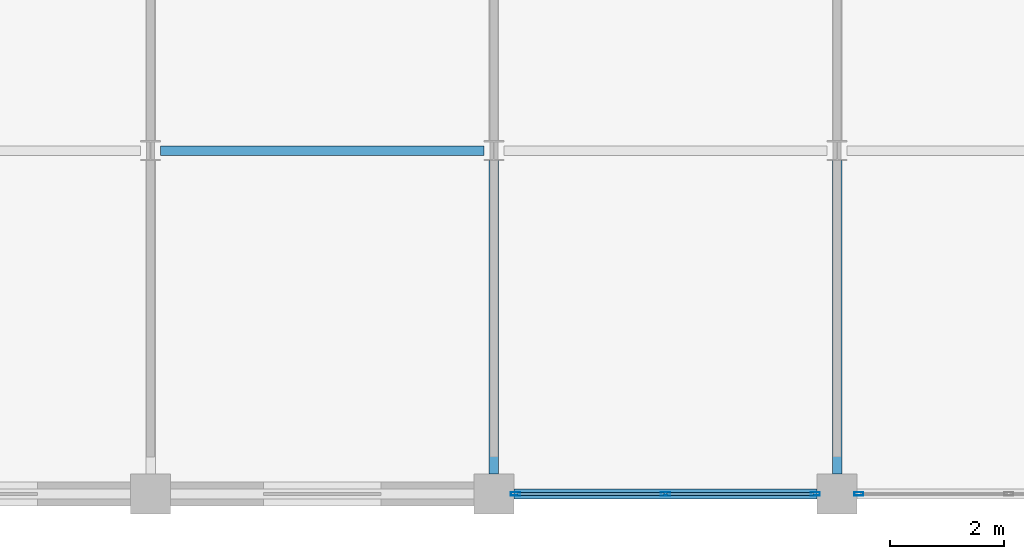
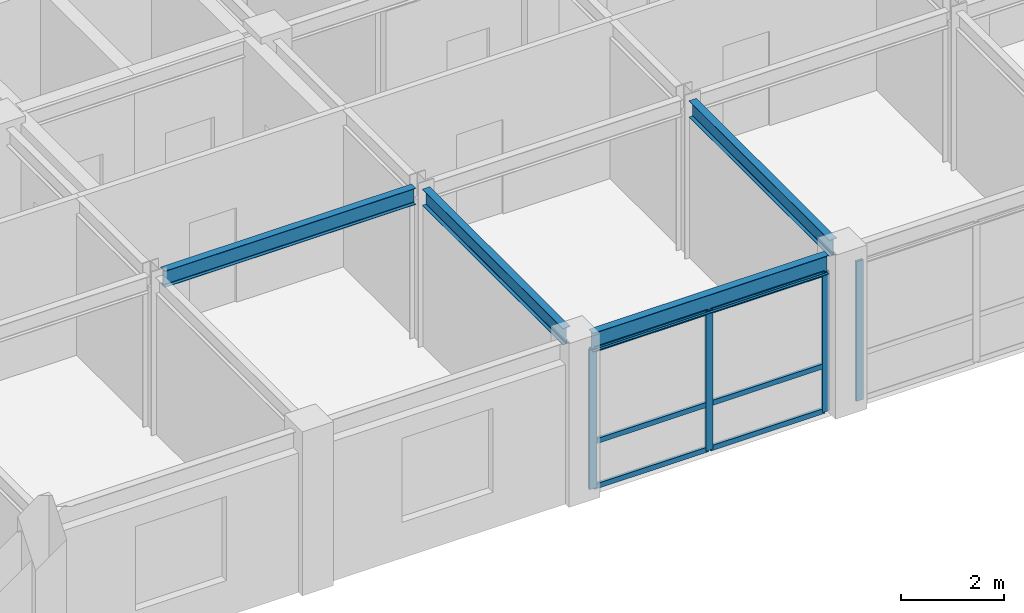
# One storey, part 4 of 15: 10 members, 4 beams, 2 elements without a shape of their own.
"""IFC4 building model written with IfcOpenShell, lengths in metres."""

from ifc_helpers import new_model, si_unit, direction, frame, origin, origin_2d, place, context, subcontext, project, spatial, hollow_rectangle, i_section, extrude, material, layer, layer_set, material_profile, profile_set, type_object, element, aggregate, save


model = new_model("IFC4")

# Units and contexts
model_context = context("Model", 3, precision=1e-05, world=origin(), true_north=direction((0.0, 1.0)))
body_context = subcontext(model_context, "Body", "Model", "MODEL_VIEW")
ifc_project = project(units=[si_unit("LENGTHUNIT", "METRE"), si_unit("AREAUNIT", "SQUARE_METRE"), si_unit("VOLUMEUNIT", "CUBIC_METRE"), si_unit("PLANEANGLEUNIT", "RADIAN"), si_unit("MASSUNIT", "GRAM", prefix="KILO")], contexts=[model_context])

# Site, building, storey
site_placement = place(None, origin())
site = spatial("IfcSite", under=ifc_project, at=site_placement, CompositionType="ELEMENT")
building_placement = place(site_placement, origin())
building = spatial("IfcBuilding", under=site, at=building_placement, Name="Zlatovratsky Civic Hall", CompositionType="ELEMENT")
storey_placement = place(building_placement, frame((0.0, 0.0, 36.60009765625)))
storey = spatial("IfcBuildingStorey", under=building, at=storey_placement, Name="L09", CompositionType="ELEMENT", Elevation=36.60009765625)

# Beams
ifc_material_1 = material(Name="Steel S355", Category="steel")
ifc_material_profile_1 = material_profile(ifc_material_1, i_section(OverallWidth=0.169921875, OverallDepth=0.446044921875, WebThickness=0.007568359375, FlangeThickness=0.010986328125, FilletRadius=0.01611328125, at=origin_2d()), Name="45B1")
ifc_profile_set_1 = profile_set([ifc_material_profile_1], Name="Steel S355")
beam_type_1 = type_object("IfcBeamType", Name="Beam_Spandrel_45B1", PredefinedType="SPANDREL", material=ifc_profile_set_1)
beam_1_placement = place(storey_placement, frame((78.35009765625, 72.0, 3.516845703125), z_axis=(1.0, 0.0, 0.0), x_axis=(0.0, 1.0, 0.0)))
element("IfcBeam", 1, at=beam_1_placement, inside=storey, type_object=beam_type_1, Name="BM-4520", PredefinedType="SPANDREL", context=body_context, shape_type="SweptSolid", body=[
    extrude(i_section(OverallWidth=0.169921875, OverallDepth=0.446044921875, WebThickness=0.007568359375, FlangeThickness=0.010986328125, FilletRadius=0.01611328125, at=origin_2d()), origin(), (0.0, 0.0, 1.0), 5.2998046875),
])
ifc_material_profile_2 = material_profile(ifc_material_1, i_section(OverallWidth=0.1650390625, OverallDepth=0.39208984375, WebThickness=0.006591796875, FlangeThickness=0.009521484375, FilletRadius=0.014892578125, at=origin_2d()), Name="40B1")
ifc_profile_set_2 = profile_set([ifc_material_profile_2], Name="Steel S355")
beam_type_2 = type_object("IfcBeamType", Name="Beam_Tie_40B1", PredefinedType="BEAM", material=ifc_profile_set_2)
beam_2_placement = place(storey_placement, frame((72.175048828125, 78.0, 3.5439453125), z_axis=(1.0, 0.0, 0.0), x_axis=(0.0, 1.0, 0.0)))
element("IfcBeam", 2, at=beam_2_placement, inside=storey, type_object=beam_type_2, Name="BM-4527", PredefinedType="BEAM", context=body_context, shape_type="SweptSolid", body=[
    extrude(i_section(OverallWidth=0.1650390625, OverallDepth=0.39208984375, WebThickness=0.006591796875, FlangeThickness=0.009521484375, FilletRadius=0.014892578125, at=origin_2d()), origin(), (0.0, 0.0, 1.0), 5.64990234375),
])
for number, where, z_axis, x_axis, name in (
    (3, (78.0, 72.35009765625, 3.5439453125), (0.0, 1.0, 0.0), (-1.0, 0.0, 0.0), "BM-4578"),
    (4, (84.0, 72.35009765625, 3.5439453125), (0.0, 1.0, 0.0), (-1.0, 0.0, 0.0), "BM-4583"),
):
    element("IfcBeam", number, at=place(storey_placement, frame(where, z_axis=z_axis, x_axis=x_axis)), inside=storey, type_object=beam_type_2, Name=name, PredefinedType="BEAM", context=body_context, shape_type="SweptSolid", body=[
        extrude(i_section(OverallWidth=0.1650390625, OverallDepth=0.39208984375, WebThickness=0.006591796875, FlangeThickness=0.009521484375, FilletRadius=0.014892578125, at=origin_2d()), origin(), (0.0, 0.0, 1.0), 5.474853515625),
    ])

# Curtain wall, members
ifc_material_2 = material(Name="Anodised bronze aluminium", Category="aluminium")
ifc_layer = layer(ifc_material_2, 0.159912109375)
ifc_layer_set = layer_set([ifc_layer], Name="Anodised bronze aluminium")
curtain_wall_type = type_object("IfcCurtainWallType", Name="CurtainWall_Bronze_5300x3320_21", PredefinedType="NOTDEFINED", material=ifc_layer_set)
curtain_wall_1_placement = place(storey_placement, origin())
curtain_wall_1 = element("IfcCurtainWall", 5, at=curtain_wall_1_placement, inside=storey, type_object=curtain_wall_type, Name="CW-145", PredefinedType="NOTDEFINED")
ifc_material_profile_3 = material_profile(ifc_material_2, hollow_rectangle(XDim=0.06005859375, YDim=0.159912109375, WallThickness=0.00390625, at=origin_2d()), Name="ALU 60x160x4")
ifc_profile_set_3 = profile_set([ifc_material_profile_3], Name="Anodised bronze aluminium")
member_type_1 = type_object("IfcMemberType", Name="CW_Mullion_60x160", PredefinedType="MULLION", material=ifc_profile_set_3)
member_1_placement = place(storey_placement, frame((78.3798828125, 72.0, 0.0), z_axis=(0.0, 0.0, 1.0), x_axis=(0.0, 1.0, 0.0)))
member_1 = element("IfcMember", 6, at=member_1_placement, type_object=member_type_1, Name="CW-21 mullion 1", PredefinedType="MULLION", context=body_context, shape_type="SweptSolid", body=[
    extrude(hollow_rectangle(XDim=0.06005859375, YDim=0.159912109375, WallThickness=0.00390625, at=origin_2d()), origin(), (0.0, 0.0, 1.0), 3.31982421875),
])
member_2_placement = place(storey_placement, frame((81.0, 72.0, 0.0), z_axis=(0.0, 0.0, 1.0), x_axis=(0.0, 1.0, 0.0)))
member_2 = element("IfcMember", 7, at=member_2_placement, type_object=member_type_1, Name="CW-21 mullion 2", PredefinedType="MULLION", context=body_context, shape_type="SweptSolid", body=[
    extrude(hollow_rectangle(XDim=0.06005859375, YDim=0.159912109375, WallThickness=0.00390625, at=origin_2d()), origin(), (0.0, 0.0, 1.0), 3.31982421875),
])
member_3_placement = place(storey_placement, frame((83.6201171875, 72.0, 0.0), z_axis=(0.0, 0.0, 1.0), x_axis=(0.0, 1.0, 0.0)))
member_3 = element("IfcMember", 8, at=member_3_placement, type_object=member_type_1, Name="CW-21 mullion 3", PredefinedType="MULLION", context=body_context, shape_type="SweptSolid", body=[
    extrude(hollow_rectangle(XDim=0.06005859375, YDim=0.159912109375, WallThickness=0.00390625, at=origin_2d()), origin(), (0.0, 0.0, 1.0), 3.31982421875),
])

# Curtain wall, member
curtain_wall_2_placement = place(storey_placement, origin())
curtain_wall_2 = element("IfcCurtainWall", 9, at=curtain_wall_2_placement, inside=storey, type_object=curtain_wall_type, Name="CW-146", PredefinedType="NOTDEFINED")
member_4_placement = place(storey_placement, frame((84.3798828125, 72.0, 0.0), z_axis=(0.0, 0.0, 1.0), x_axis=(0.0, 1.0, 0.0)))
member_4 = element("IfcMember", 10, at=member_4_placement, type_object=member_type_1, Name="CW-21 mullion 1", PredefinedType="MULLION", context=body_context, shape_type="SweptSolid", body=[
    extrude(hollow_rectangle(XDim=0.06005859375, YDim=0.159912109375, WallThickness=0.00390625, at=origin_2d()), origin(), (0.0, 0.0, 1.0), 3.31982421875),
])
aggregate(curtain_wall_2, [member_4])

# Member
ifc_material_profile_4 = material_profile(ifc_material_2, hollow_rectangle(XDim=0.06005859375, YDim=0.1201171875, WallThickness=0.00390625, at=origin_2d()), Name="ALU 60x120x4")
ifc_profile_set_4 = profile_set([ifc_material_profile_4], Name="Anodised bronze aluminium")
member_type_2 = type_object("IfcMemberType", Name="CW_Transom_60x120", PredefinedType="USERDEFINED", material=ifc_profile_set_4)
member_5_placement = place(storey_placement, frame((78.409912109375, 72.0, 0.02978515625), z_axis=(1.0, 0.0, 0.0), x_axis=(0.0, 1.0, 0.0)))
member_5 = element("IfcMember", 11, at=member_5_placement, type_object=member_type_2, Name="CW-21 transom 1.1", ObjectType="TRANSOM", PredefinedType="USERDEFINED", context=body_context, shape_type="SweptSolid", body=[
    extrude(hollow_rectangle(XDim=0.06005859375, YDim=0.1201171875, WallThickness=0.00390625, at=origin_2d()), origin(), (0.0, 0.0, 1.0), 2.56005859375),
])

member_6_placement = place(storey_placement, frame((78.409912109375, 72.0, 1.099853515625), z_axis=(1.0, 0.0, 0.0), x_axis=(0.0, 1.0, 0.0)))
member_6 = element("IfcMember", 12, at=member_6_placement, type_object=member_type_2, Name="CW-21 transom 1.2", ObjectType="TRANSOM", PredefinedType="USERDEFINED", context=body_context, shape_type="SweptSolid", body=[
    extrude(hollow_rectangle(XDim=0.06005859375, YDim=0.1201171875, WallThickness=0.00390625, at=origin_2d()), origin(), (0.0, 0.0, 1.0), 2.56005859375),
])

member_7_placement = place(storey_placement, frame((78.409912109375, 72.0, 3.289794921875), z_axis=(1.0, 0.0, 0.0), x_axis=(0.0, 1.0, 0.0)))
member_7 = element("IfcMember", 13, at=member_7_placement, type_object=member_type_2, Name="CW-21 transom 1.3", ObjectType="TRANSOM", PredefinedType="USERDEFINED", context=body_context, shape_type="SweptSolid", body=[
    extrude(hollow_rectangle(XDim=0.06005859375, YDim=0.1201171875, WallThickness=0.00390625, at=origin_2d()), origin(), (0.0, 0.0, 1.0), 2.56005859375),
])

member_8_placement = place(storey_placement, frame((81.030029296875, 72.0, 0.02978515625), z_axis=(1.0, 0.0, 0.0), x_axis=(0.0, 1.0, 0.0)))
member_8 = element("IfcMember", 14, at=member_8_placement, type_object=member_type_2, Name="CW-21 transom 2.1", ObjectType="TRANSOM", PredefinedType="USERDEFINED", context=body_context, shape_type="SweptSolid", body=[
    extrude(hollow_rectangle(XDim=0.06005859375, YDim=0.1201171875, WallThickness=0.00390625, at=origin_2d()), origin(), (0.0, 0.0, 1.0), 2.56005859375),
])

member_9_placement = place(storey_placement, frame((81.030029296875, 72.0, 1.099853515625), z_axis=(1.0, 0.0, 0.0), x_axis=(0.0, 1.0, 0.0)))
member_9 = element("IfcMember", 15, at=member_9_placement, type_object=member_type_2, Name="CW-21 transom 2.2", ObjectType="TRANSOM", PredefinedType="USERDEFINED", context=body_context, shape_type="SweptSolid", body=[
    extrude(hollow_rectangle(XDim=0.06005859375, YDim=0.1201171875, WallThickness=0.00390625, at=origin_2d()), origin(), (0.0, 0.0, 1.0), 2.56005859375),
])

member_10_placement = place(storey_placement, frame((81.030029296875, 72.0, 3.289794921875), z_axis=(1.0, 0.0, 0.0), x_axis=(0.0, 1.0, 0.0)))
member_10 = element("IfcMember", 16, at=member_10_placement, type_object=member_type_2, Name="CW-21 transom 2.3", ObjectType="TRANSOM", PredefinedType="USERDEFINED", context=body_context, shape_type="SweptSolid", body=[
    extrude(hollow_rectangle(XDim=0.06005859375, YDim=0.1201171875, WallThickness=0.00390625, at=origin_2d()), origin(), (0.0, 0.0, 1.0), 2.56005859375),
])

aggregate(curtain_wall_1, [member_1, member_2, member_3, member_5, member_6, member_7, member_8, member_9, member_10])

save(model, "model.ifc")
